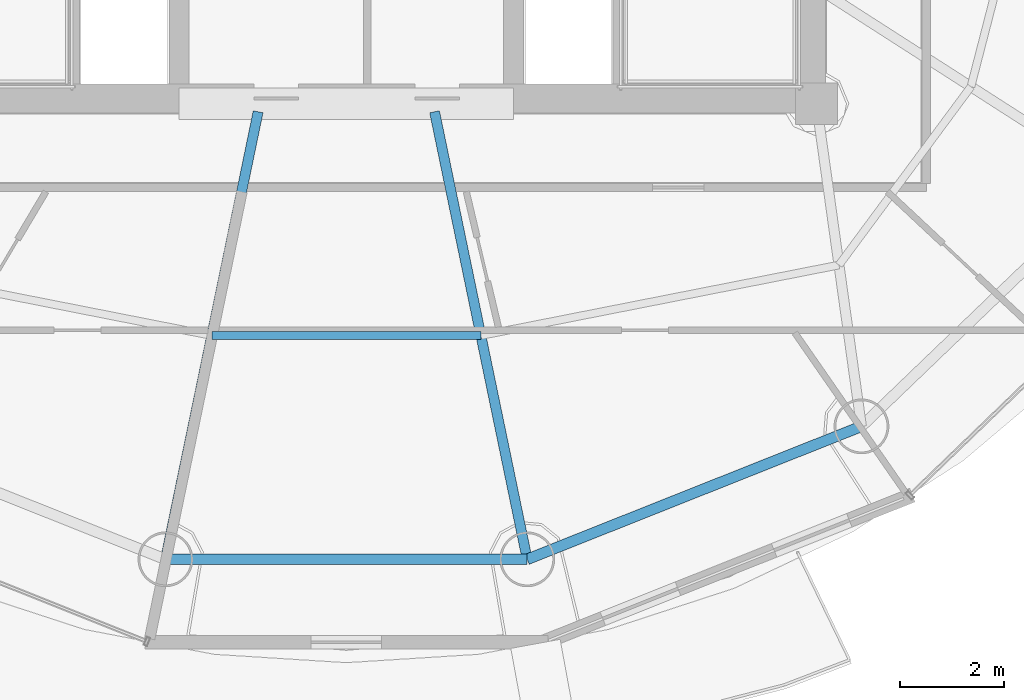
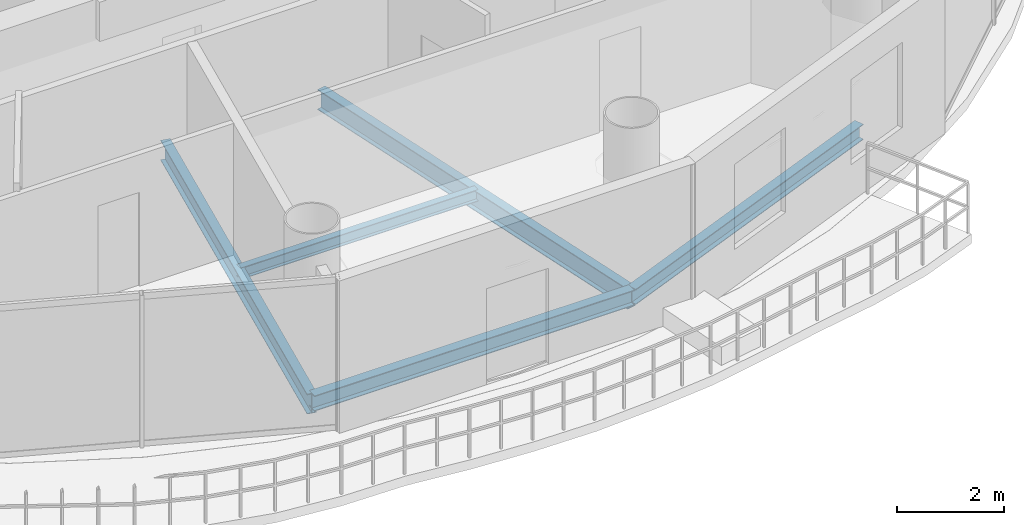
# One storey, part 5 of 23: 5 beams.
"""IFC4 building model written with IfcOpenShell, lengths in metres."""

from ifc_helpers import new_model, si_unit, direction, frame, origin, origin_2d, place, context, subcontext, project, spatial, i_section, extrude, material, material_profile, profile_set, type_object, element, save


model = new_model("IFC4")

# Units and contexts
model_context = context("Model", 3, precision=1e-05, world=origin(), true_north=direction((-0.2419218956, 0.970295726276)))
body_context = subcontext(model_context, "Body", "Model", "MODEL_VIEW")
ifc_project = project(units=[si_unit("LENGTHUNIT", "METRE"), si_unit("AREAUNIT", "SQUARE_METRE"), si_unit("VOLUMEUNIT", "CUBIC_METRE"), si_unit("PLANEANGLEUNIT", "RADIAN"), si_unit("MASSUNIT", "GRAM", prefix="KILO")], contexts=[model_context])

# Site, building, storey
site_placement = place(None, origin())
site = spatial("IfcSite", under=ifc_project, at=site_placement, CompositionType="ELEMENT")
building_placement = place(site_placement, origin())
building = spatial("IfcBuilding", under=site, at=building_placement, Name="Cobrevalo Terracotta Tower", CompositionType="ELEMENT")
storey_placement = place(building_placement, frame((0.0, 0.0, 251.949951171875)))
storey = spatial("IfcBuildingStorey", under=building, at=storey_placement, Name="L66", CompositionType="ELEMENT", Elevation=251.949951171875)

# Beams
ifc_material = material(Name="Steel S355", Category="steel")
ifc_material_profile_1 = material_profile(ifc_material, i_section(OverallWidth=0.19091796875, OverallDepth=0.4599609375, WebThickness=0.010009765625, FlangeThickness=0.01611328125, at=origin_2d()), Name="W 460x82")
ifc_profile_set_1 = profile_set([ifc_material_profile_1], Name="Steel S355")
beam_type_1 = type_object("IfcBeamType", Name="Structural Beam W 460x82 (Steel S355)", PredefinedType="BEAM", material=ifc_profile_set_1)
for number, where, z_axis, x_axis, name in (
    (1, (34.537109375, 10.07763671875, -0.489990234375), (0.202781841237, 0.9792239401, 0.0), (-0.9792239401, 0.202781841237, 0.0), "L66 radial floor girder 12"),
    (2, (41.462890625, 10.07763671875, -0.489990234375), (-0.202781841237, 0.9792239401, 0.0), (-0.9792239401, -0.202781841237, 0.0), "L66 radial floor girder 13"),
):
    element("IfcBeam", number, at=place(storey_placement, frame(where, z_axis=z_axis, x_axis=x_axis)), inside=storey, type_object=beam_type_1, Name=name, PredefinedType="BEAM", context=body_context, shape_type="SweptSolid", body=[
        extrude(i_section(OverallWidth=0.19091796875, OverallDepth=0.4599609375, WebThickness=0.010009765625, FlangeThickness=0.01611328125, at=origin_2d()), origin(), (0.0, 0.0, 1.0), 8.749267578125),
    ])
ifc_material_profile_2 = material_profile(ifc_material, i_section(OverallWidth=0.14794921875, OverallDepth=0.26611328125, WebThickness=0.007568359375, FlangeThickness=0.012939453125, at=origin_2d()), Name="W 250x44.8")
ifc_profile_set_2 = profile_set([ifc_material_profile_2], Name="Steel S355")
beam_type_2 = type_object("IfcBeamType", Name="Structural Joist W 250x44.8 (Steel S355)", PredefinedType="JOIST", material=ifc_profile_set_2)
beam_1_placement = place(storey_placement, frame((35.42431640625, 14.361328125, -0.39306640625), z_axis=(1.0, 0.0, 0.0), x_axis=(0.0, 1.0, 0.0)))
element("IfcBeam", 3, at=beam_1_placement, inside=storey, type_object=beam_type_2, Name="L66 circumferential secondary floor joist 12", PredefinedType="JOIST", context=body_context, shape_type="SweptSolid", body=[
    extrude(i_section(OverallWidth=0.14794921875, OverallDepth=0.26611328125, WebThickness=0.007568359375, FlangeThickness=0.012939453125, at=origin_2d()), origin(), (0.0, 0.0, 1.0), 5.1513671875),
])
ifc_material_profile_3 = material_profile(ifc_material, i_section(OverallWidth=0.205078125, OverallDepth=0.35400390625, WebThickness=0.009521484375, FlangeThickness=0.016845703125, at=origin_2d()), Name="W 360x79")
ifc_profile_set_3 = profile_set([ifc_material_profile_3], Name="Steel S355")
beam_type_3 = type_object("IfcBeamType", Name="Structural Spandrel W 360x79 (Steel S355)", PredefinedType="SPANDREL", material=ifc_profile_set_3)
beam_2_placement = place(storey_placement, frame((34.537109375, 10.07763671875, -0.43701171875), z_axis=(1.0, 0.0, 0.0), x_axis=(0.0, 1.0, 0.0)))
element("IfcBeam", 4, at=beam_2_placement, inside=storey, type_object=beam_type_3, Name="L66 perimeter ring spandrel 12", PredefinedType="SPANDREL", context=body_context, shape_type="SweptSolid", body=[
    extrude(i_section(OverallWidth=0.205078125, OverallDepth=0.35400390625, WebThickness=0.009521484375, FlangeThickness=0.016845703125, at=origin_2d()), origin(), (0.0, 0.0, 1.0), 6.92578125),
])
beam_3_placement = place(storey_placement, frame((41.462890625, 10.07763671875, -0.43701171875), z_axis=(0.929149986048, 0.369702993533, 0.0), x_axis=(-0.369702993533, 0.929149986048, 0.0)))
element("IfcBeam", 5, at=beam_3_placement, inside=storey, type_object=beam_type_3, Name="L66 perimeter ring spandrel 13", PredefinedType="SPANDREL", context=body_context, shape_type="SweptSolid", body=[
    extrude(i_section(OverallWidth=0.205078125, OverallDepth=0.35400390625, WebThickness=0.009521484375, FlangeThickness=0.016845703125, at=origin_2d()), origin(), (0.0, 0.0, 1.0), 6.88623046875),
])

save(model, "model.ifc")
